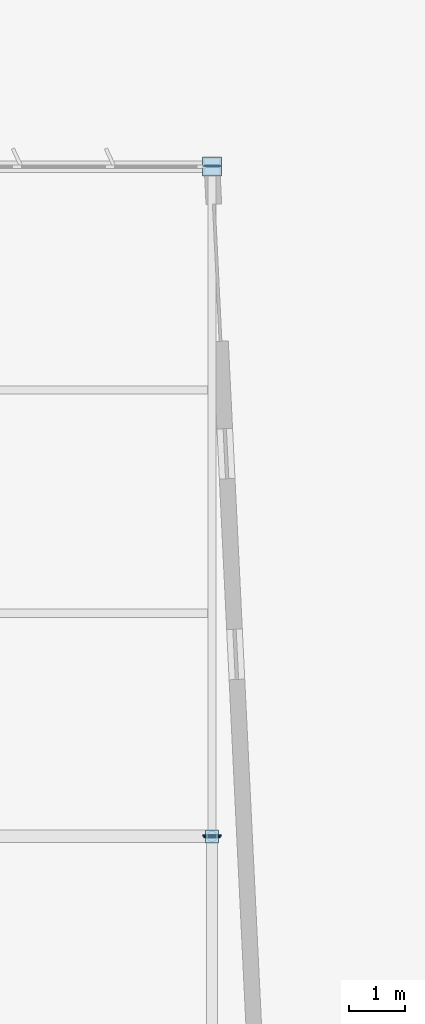
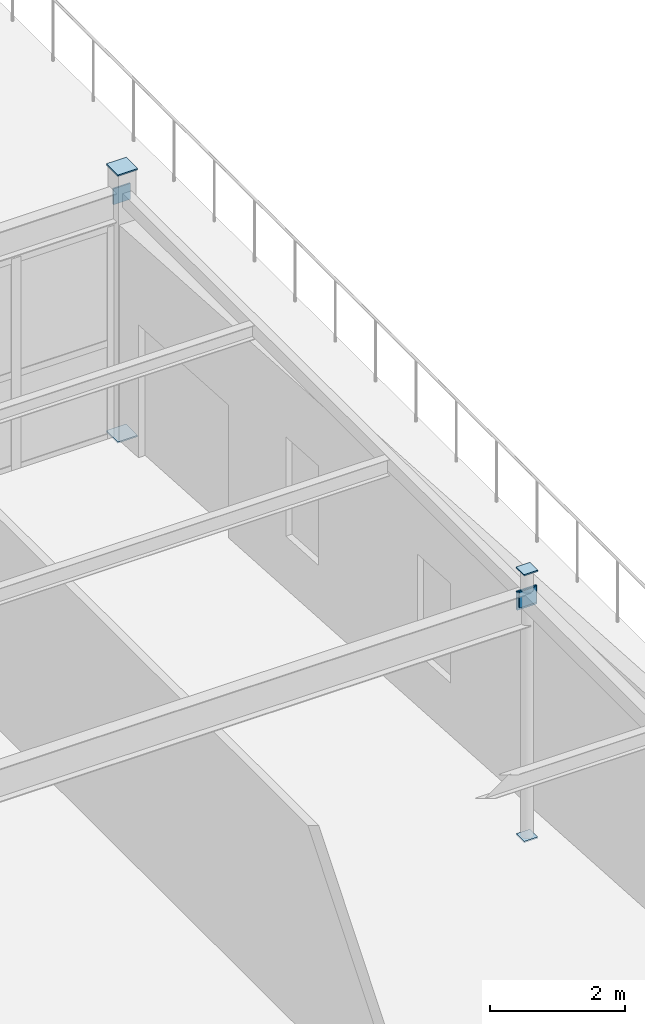
# One storey, part 149 of 199: 7 plates.
"""IFC4 building model written with IfcOpenShell, lengths in metres."""

from ifc_helpers import new_model, si_unit, direction, frame, origin, origin_2d, place, context, subcontext, project, spatial, rectangle, extrude, material, layer, layer_set, type_object, element, save


model = new_model("IFC4")

# Units and contexts
model_context = context("Model", 3, precision=1e-05, world=origin(), true_north=direction((0.0, 1.0)))
body_context = subcontext(model_context, "Body", "Model", "MODEL_VIEW")
ifc_project = project(units=[si_unit("LENGTHUNIT", "METRE"), si_unit("AREAUNIT", "SQUARE_METRE"), si_unit("VOLUMEUNIT", "CUBIC_METRE"), si_unit("PLANEANGLEUNIT", "RADIAN"), si_unit("MASSUNIT", "GRAM", prefix="KILO")], contexts=[model_context])

# Site, building, storey
site_placement = place(None, origin())
site = spatial("IfcSite", under=ifc_project, at=site_placement, CompositionType="ELEMENT")
building_placement = place(site_placement, origin())
building = spatial("IfcBuilding", under=site, at=building_placement, Name="Tarnwether General Hospital", CompositionType="ELEMENT")
storey_placement = place(building_placement, origin())
storey = spatial("IfcBuildingStorey", under=building, at=storey_placement, Name="L00", CompositionType="ELEMENT", Elevation=0.0)

# Plates
ifc_material = material(Name="Steel Grade 350 (350 MPa)", Category="steel")
ifc_layer = layer(ifc_material, 0.02490234375)
ifc_layer_set = layer_set([ifc_layer], Name="Steel Grade 350 (350 MPa)")
plate_type = type_object("IfcPlateType", Name="PT-GUS2", PredefinedType="USERDEFINED", material=ifc_layer_set)
for number, where, z_axis, x_axis, name in (
    (1, (192.0, 33.60009765625, -0.02490234375), (0.0, 0.0, 1.0), (1.0, 0.0, 0.0), "Hollow Section Welded End Cap Plate 0407"),
    (2, (192.0, 33.60009765625, 4.800048828125), (0.0, 0.0, 1.0), (1.0, 0.0, 0.0), "Hollow Section Welded End Cap Plate 0408"),
):
    element("IfcPlate", number, at=place(storey_placement, frame(where, z_axis=z_axis, x_axis=x_axis)), inside=storey, type_object=plate_type, Name=name, ObjectType="GUSSET", PredefinedType="USERDEFINED", context=body_context, shape_type="SweptSolid", body=[
        extrude(rectangle(XDim=0.23388671875, YDim=0.23388671875, at=origin_2d()), origin(), (0.0, 0.0, 1.0), 0.02490234375),
    ])
for number, where, z_axis, x_axis, name in (
    (3, (192.0, 45.60009765625, -0.02490234375), (0.0, 0.0, 1.0), (1.0, 0.0, 0.0), "Hollow Section Welded End Cap Plate 0413"),
    (4, (192.0, 45.60009765625, 4.800048828125), (0.0, 0.0, 1.0), (1.0, 0.0, 0.0), "Hollow Section Welded End Cap Plate 0414"),
):
    element("IfcPlate", number, at=place(storey_placement, frame(where, z_axis=z_axis, x_axis=x_axis)), inside=storey, type_object=plate_type, Name=name, ObjectType="GUSSET", PredefinedType="USERDEFINED", context=body_context, shape_type="SweptSolid", body=[
        extrude(rectangle(XDim=0.340087890625, YDim=0.340087890625, at=origin_2d()), origin(), (0.0, 0.0, 1.0), 0.02490234375),
    ])
plate_placement = place(storey_placement, frame((192.0, 33.612548828125, 4.125), z_axis=(0.0, 0.0, 1.0), x_axis=(0.0, 1.0, 0.0)))
element("IfcPlate", 5, at=plate_placement, inside=storey, type_object=plate_type, Name="Hollow Section Welded End Cap Plate 0900", ObjectType="GUSSET", PredefinedType="USERDEFINED", context=body_context, shape_type="SweptSolid", body=[
    extrude(rectangle(XDim=0.02490234375, YDim=0.340087890625, at=origin_2d()), origin(), (0.0, 0.0, 1.0), 0.340087890625),
])
for number, where, z_axis, x_axis, name in (
    (6, (192.0, 33.58740234375, 4.175048828125), (0.0, 0.0, 1.0), (0.0, 1.0, 0.0), "Hollow Section Welded End Cap Plate 0901"),
    (7, (192.0, 45.612548828125, 4.175048828125), (0.0, 0.0, 1.0), (0.0, 1.0, 0.0), "Hollow Section Welded End Cap Plate 0902"),
):
    element("IfcPlate", number, at=place(storey_placement, frame(where, z_axis=z_axis, x_axis=x_axis)), inside=storey, type_object=plate_type, Name=name, ObjectType="GUSSET", PredefinedType="USERDEFINED", context=body_context, shape_type="SweptSolid", body=[
        extrude(rectangle(XDim=0.02490234375, YDim=0.2900390625, at=origin_2d()), origin(), (0.0, 0.0, 1.0), 0.2900390625),
    ])

save(model, "model.ifc")
